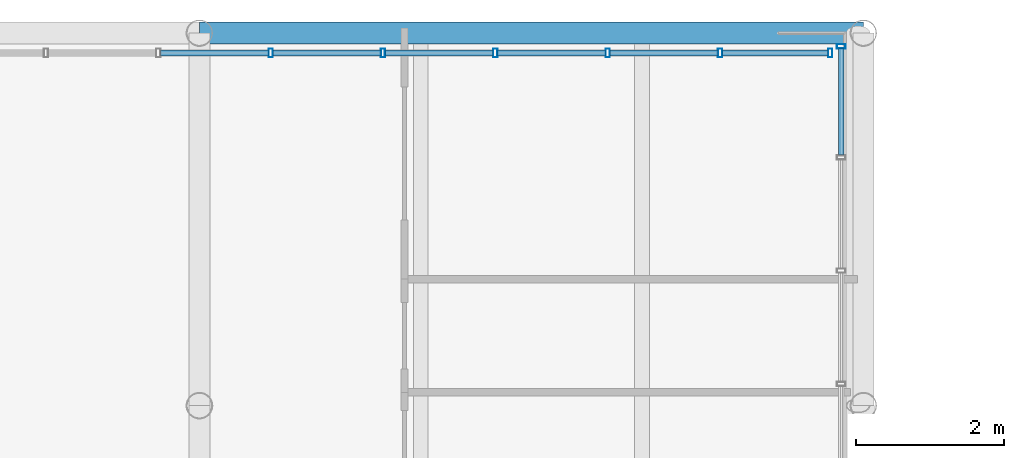
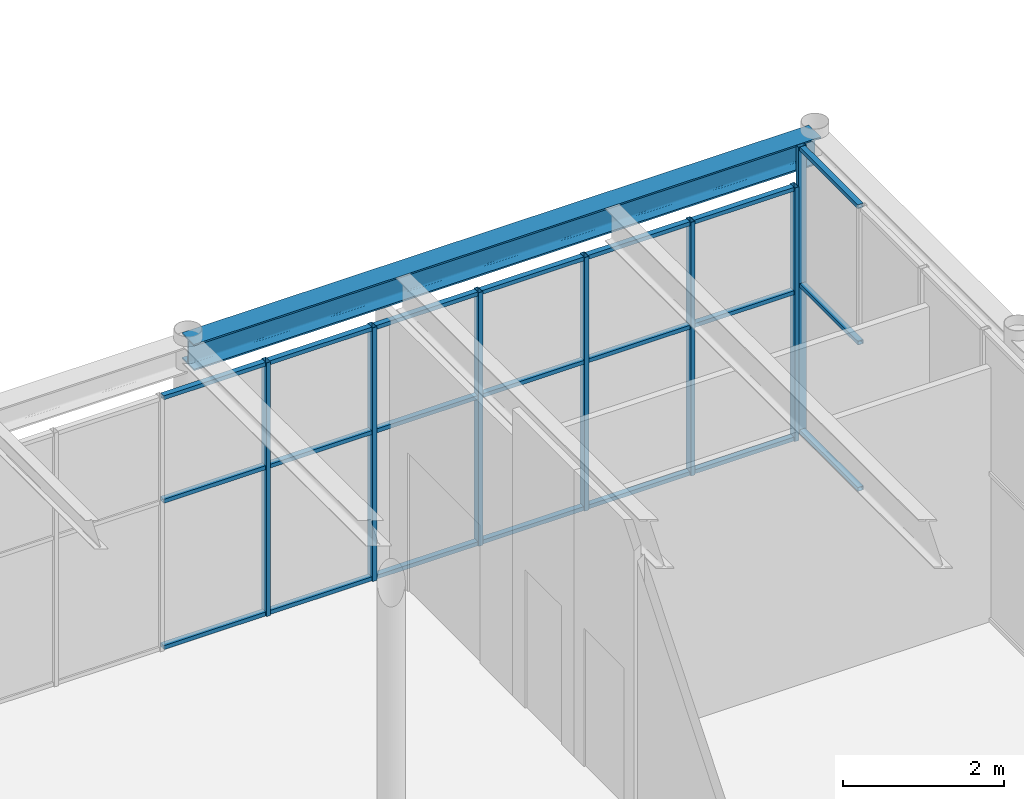
# One storey, part 54 of 111: 28 members, 1 beam, 2 elements without a shape of their own.
"""IFC4 building model written with IfcOpenShell, lengths in metres."""

from ifc_helpers import new_model, si_unit, direction, frame, origin, origin_2d, place, context, subcontext, project, spatial, hollow_rectangle, i_section, extrude, material, layer, layer_set, material_profile, profile_set, type_object, element, aggregate, save


model = new_model("IFC4")

# Units and contexts
model_context = context("Model", 3, precision=1e-05, world=origin(), true_north=direction((0.0, 1.0)))
body_context = subcontext(model_context, "Body", "Model", "MODEL_VIEW")
ifc_project = project(units=[si_unit("LENGTHUNIT", "METRE"), si_unit("AREAUNIT", "SQUARE_METRE"), si_unit("VOLUMEUNIT", "CUBIC_METRE"), si_unit("PLANEANGLEUNIT", "RADIAN"), si_unit("MASSUNIT", "GRAM", prefix="KILO")], contexts=[model_context])

# Site, building, storey
site_placement = place(None, origin())
site = spatial("IfcSite", under=ifc_project, at=site_placement, CompositionType="ELEMENT")
building_placement = place(site_placement, origin())
building = spatial("IfcBuilding", under=site, at=building_placement, Name="Kallimachos Central Library", CompositionType="ELEMENT")
storey_placement = place(building_placement, frame((0.0, 0.0, 14.39990234375)))
storey = spatial("IfcBuildingStorey", under=building, at=storey_placement, Name="L03", CompositionType="ELEMENT", Elevation=14.39990234375)

# Curtain wall, member
ifc_material_1 = material(Name="Anodised aluminium and laminated glass", Category="aluminium")
ifc_layer = layer(ifc_material_1, 0.159912109375)
ifc_layer_set = layer_set([ifc_layer], Name="Glass box curtain wall")
curtain_wall_type = type_object("IfcCurtainWallType", Name="Glass box curtain wall", PredefinedType="NOTDEFINED", material=ifc_layer_set)
curtain_wall_1_placement = place(storey_placement, origin())
curtain_wall_1 = element("IfcCurtainWall", 1, at=curtain_wall_1_placement, inside=storey, type_object=curtain_wall_type, Name="Glass box curtain wall E L03", PredefinedType="NOTDEFINED")
ifc_material_2 = material(Name="Anodised aluminium", Category="aluminium")
ifc_material_profile_1 = material_profile(ifc_material_2, hollow_rectangle(XDim=0.06005859375, YDim=0.1201171875, WallThickness=0.00390625, at=origin_2d()), Name="ALU MULLION 60x120")
ifc_profile_set_1 = profile_set([ifc_material_profile_1], Name="Anodised aluminium")
member_type_1 = type_object("IfcMemberType", Name="Glass box mullion 60x120", PredefinedType="MULLION", material=ifc_profile_set_1)
member_1_placement = place(storey_placement, frame((110.199951171875, 121.469970703125, 0.0), z_axis=(0.0, 0.0, 1.0), x_axis=(0.0, 1.0, 0.0)))
member_1 = element("IfcMember", 2, at=member_1_placement, type_object=member_type_1, Name="CW26 mullion 8", PredefinedType="MULLION", context=body_context, shape_type="SweptSolid", body=[
    extrude(hollow_rectangle(XDim=0.06005859375, YDim=0.1201171875, WallThickness=0.00390625, at=origin_2d()), origin(), (0.0, 0.0, 1.0), 4.35009765625),
])

# Curtain wall, members
curtain_wall_2_placement = place(storey_placement, origin())
curtain_wall_2 = element("IfcCurtainWall", 3, at=curtain_wall_2_placement, inside=storey, type_object=curtain_wall_type, Name="Glass box curtain wall N L03", PredefinedType="NOTDEFINED")
member_2_placement = place(storey_placement, frame((102.46630859375, 121.3798828125, 0.0), z_axis=(0.0, 0.0, 1.0), x_axis=(1.0, 0.0, 0.0)))
member_2 = element("IfcMember", 4, at=member_2_placement, type_object=member_type_1, Name="CW27 mullion 25", PredefinedType="MULLION", context=body_context, shape_type="SweptSolid", body=[
    extrude(hollow_rectangle(XDim=0.06005859375, YDim=0.1201171875, WallThickness=0.00390625, at=origin_2d()), origin(), (0.0, 0.0, 1.0), 3.85009765625),
])
member_3_placement = place(storey_placement, frame((103.989013671875, 121.3798828125, 0.0), z_axis=(0.0, 0.0, 1.0), x_axis=(1.0, 0.0, 0.0)))
member_3 = element("IfcMember", 5, at=member_3_placement, type_object=member_type_1, Name="CW27 mullion 26", PredefinedType="MULLION", context=body_context, shape_type="SweptSolid", body=[
    extrude(hollow_rectangle(XDim=0.06005859375, YDim=0.1201171875, WallThickness=0.00390625, at=origin_2d()), origin(), (0.0, 0.0, 1.0), 3.85009765625),
])
member_4_placement = place(storey_placement, frame((105.51171875, 121.3798828125, 0.0), z_axis=(0.0, 0.0, 1.0), x_axis=(1.0, 0.0, 0.0)))
member_4 = element("IfcMember", 6, at=member_4_placement, type_object=member_type_1, Name="CW27 mullion 27", PredefinedType="MULLION", context=body_context, shape_type="SweptSolid", body=[
    extrude(hollow_rectangle(XDim=0.06005859375, YDim=0.1201171875, WallThickness=0.00390625, at=origin_2d()), origin(), (0.0, 0.0, 1.0), 3.85009765625),
])
member_5_placement = place(storey_placement, frame((107.034423828125, 121.3798828125, 0.0), z_axis=(0.0, 0.0, 1.0), x_axis=(1.0, 0.0, 0.0)))
member_5 = element("IfcMember", 7, at=member_5_placement, type_object=member_type_1, Name="CW27 mullion 28", PredefinedType="MULLION", context=body_context, shape_type="SweptSolid", body=[
    extrude(hollow_rectangle(XDim=0.06005859375, YDim=0.1201171875, WallThickness=0.00390625, at=origin_2d()), origin(), (0.0, 0.0, 1.0), 3.85009765625),
])
member_6_placement = place(storey_placement, frame((108.55712890625, 121.3798828125, 0.0), z_axis=(0.0, 0.0, 1.0), x_axis=(1.0, 0.0, 0.0)))
member_6 = element("IfcMember", 8, at=member_6_placement, type_object=member_type_1, Name="CW27 mullion 29", PredefinedType="MULLION", context=body_context, shape_type="SweptSolid", body=[
    extrude(hollow_rectangle(XDim=0.06005859375, YDim=0.1201171875, WallThickness=0.00390625, at=origin_2d()), origin(), (0.0, 0.0, 1.0), 3.85009765625),
])
member_7_placement = place(storey_placement, frame((110.050048828125, 121.3798828125, 0.0), z_axis=(0.0, 0.0, 1.0), x_axis=(1.0, 0.0, 0.0)))
member_7 = element("IfcMember", 9, at=member_7_placement, type_object=member_type_1, Name="CW27 mullion 30", PredefinedType="MULLION", context=body_context, shape_type="SweptSolid", body=[
    extrude(hollow_rectangle(XDim=0.06005859375, YDim=0.1201171875, WallThickness=0.00390625, at=origin_2d()), origin(), (0.0, 0.0, 1.0), 3.85009765625),
])

# Member
ifc_material_3 = material(Name="Anodised aluminium", Category="aluminium")
ifc_material_profile_2 = material_profile(ifc_material_3, hollow_rectangle(XDim=0.06005859375, YDim=0.080078125, WallThickness=0.00390625, at=origin_2d()), Name="ALU TRANSOM 60x80")
ifc_profile_set_2 = profile_set([ifc_material_profile_2], Name="Anodised aluminium")
member_type_2 = type_object("IfcMemberType", Name="Glass box transom 60x80", PredefinedType="USERDEFINED", material=ifc_profile_set_2)
member_8_placement = place(storey_placement, frame((110.199951171875, 119.994384765625, 0.030029296875), z_axis=(0.0, 1.0, 0.0), x_axis=(0.0, 0.0, 1.0)))
member_8 = element("IfcMember", 10, at=member_8_placement, type_object=member_type_2, Name="CW26 transom 7.1", ObjectType="TRANSOM", PredefinedType="USERDEFINED", context=body_context, shape_type="SweptSolid", body=[
    extrude(hollow_rectangle(XDim=0.06005859375, YDim=0.080078125, WallThickness=0.00390625, at=origin_2d()), origin(), (0.0, 0.0, 1.0), 1.445556640625),
])

member_9_placement = place(storey_placement, frame((110.199951171875, 119.994384765625, 2.25), z_axis=(0.0, 1.0, 0.0), x_axis=(0.0, 0.0, 1.0)))
member_9 = element("IfcMember", 11, at=member_9_placement, type_object=member_type_2, Name="CW26 transom 7.2", ObjectType="TRANSOM", PredefinedType="USERDEFINED", context=body_context, shape_type="SweptSolid", body=[
    extrude(hollow_rectangle(XDim=0.06005859375, YDim=0.080078125, WallThickness=0.00390625, at=origin_2d()), origin(), (0.0, 0.0, 1.0), 1.445556640625),
])

member_10_placement = place(storey_placement, frame((110.199951171875, 119.994384765625, 4.320068359375), z_axis=(0.0, 1.0, 0.0), x_axis=(0.0, 0.0, 1.0)))
member_10 = element("IfcMember", 12, at=member_10_placement, type_object=member_type_2, Name="CW26 transom 7.3", ObjectType="TRANSOM", PredefinedType="USERDEFINED", context=body_context, shape_type="SweptSolid", body=[
    extrude(hollow_rectangle(XDim=0.06005859375, YDim=0.080078125, WallThickness=0.00390625, at=origin_2d()), origin(), (0.0, 0.0, 1.0), 1.445556640625),
])

aggregate(curtain_wall_1, [member_1, member_8, member_9, member_10])

member_11_placement = place(storey_placement, frame((100.973388671875, 121.3798828125, 0.030029296875), z_axis=(1.0, 0.0, 0.0), x_axis=(0.0, 0.0, 1.0)))
member_11 = element("IfcMember", 13, at=member_11_placement, type_object=member_type_2, Name="CW27 transom 24.1", ObjectType="TRANSOM", PredefinedType="USERDEFINED", context=body_context, shape_type="SweptSolid", body=[
    extrude(hollow_rectangle(XDim=0.06005859375, YDim=0.080078125, WallThickness=0.00390625, at=origin_2d()), origin(), (0.0, 0.0, 1.0), 1.462890625),
])

member_12_placement = place(storey_placement, frame((100.973388671875, 121.3798828125, 2.25), z_axis=(1.0, 0.0, 0.0), x_axis=(0.0, 0.0, 1.0)))
member_12 = element("IfcMember", 14, at=member_12_placement, type_object=member_type_2, Name="CW27 transom 24.2", ObjectType="TRANSOM", PredefinedType="USERDEFINED", context=body_context, shape_type="SweptSolid", body=[
    extrude(hollow_rectangle(XDim=0.06005859375, YDim=0.080078125, WallThickness=0.00390625, at=origin_2d()), origin(), (0.0, 0.0, 1.0), 1.462890625),
])

member_13_placement = place(storey_placement, frame((100.973388671875, 121.3798828125, 3.820068359375), z_axis=(1.0, 0.0, 0.0), x_axis=(0.0, 0.0, 1.0)))
member_13 = element("IfcMember", 15, at=member_13_placement, type_object=member_type_2, Name="CW27 transom 24.3", ObjectType="TRANSOM", PredefinedType="USERDEFINED", context=body_context, shape_type="SweptSolid", body=[
    extrude(hollow_rectangle(XDim=0.06005859375, YDim=0.080078125, WallThickness=0.00390625, at=origin_2d()), origin(), (0.0, 0.0, 1.0), 1.462890625),
])

member_14_placement = place(storey_placement, frame((102.49609375, 121.3798828125, 0.030029296875), z_axis=(1.0, 0.0, 0.0), x_axis=(0.0, 0.0, 1.0)))
member_14 = element("IfcMember", 16, at=member_14_placement, type_object=member_type_2, Name="CW27 transom 25.1", ObjectType="TRANSOM", PredefinedType="USERDEFINED", context=body_context, shape_type="SweptSolid", body=[
    extrude(hollow_rectangle(XDim=0.06005859375, YDim=0.080078125, WallThickness=0.00390625, at=origin_2d()), origin(), (0.0, 0.0, 1.0), 1.462890625),
])

member_15_placement = place(storey_placement, frame((102.49609375, 121.3798828125, 2.25), z_axis=(1.0, 0.0, 0.0), x_axis=(0.0, 0.0, 1.0)))
member_15 = element("IfcMember", 17, at=member_15_placement, type_object=member_type_2, Name="CW27 transom 25.2", ObjectType="TRANSOM", PredefinedType="USERDEFINED", context=body_context, shape_type="SweptSolid", body=[
    extrude(hollow_rectangle(XDim=0.06005859375, YDim=0.080078125, WallThickness=0.00390625, at=origin_2d()), origin(), (0.0, 0.0, 1.0), 1.462890625),
])

member_16_placement = place(storey_placement, frame((102.49609375, 121.3798828125, 3.820068359375), z_axis=(1.0, 0.0, 0.0), x_axis=(0.0, 0.0, 1.0)))
member_16 = element("IfcMember", 18, at=member_16_placement, type_object=member_type_2, Name="CW27 transom 25.3", ObjectType="TRANSOM", PredefinedType="USERDEFINED", context=body_context, shape_type="SweptSolid", body=[
    extrude(hollow_rectangle(XDim=0.06005859375, YDim=0.080078125, WallThickness=0.00390625, at=origin_2d()), origin(), (0.0, 0.0, 1.0), 1.462890625),
])

member_17_placement = place(storey_placement, frame((104.01904296875, 121.3798828125, 0.030029296875), z_axis=(1.0, 0.0, 0.0), x_axis=(0.0, 0.0, 1.0)))
member_17 = element("IfcMember", 19, at=member_17_placement, type_object=member_type_2, Name="CW27 transom 26.1", ObjectType="TRANSOM", PredefinedType="USERDEFINED", context=body_context, shape_type="SweptSolid", body=[
    extrude(hollow_rectangle(XDim=0.06005859375, YDim=0.080078125, WallThickness=0.00390625, at=origin_2d()), origin(), (0.0, 0.0, 1.0), 1.462646484375),
])

member_18_placement = place(storey_placement, frame((104.01904296875, 121.3798828125, 2.25), z_axis=(1.0, 0.0, 0.0), x_axis=(0.0, 0.0, 1.0)))
member_18 = element("IfcMember", 20, at=member_18_placement, type_object=member_type_2, Name="CW27 transom 26.2", ObjectType="TRANSOM", PredefinedType="USERDEFINED", context=body_context, shape_type="SweptSolid", body=[
    extrude(hollow_rectangle(XDim=0.06005859375, YDim=0.080078125, WallThickness=0.00390625, at=origin_2d()), origin(), (0.0, 0.0, 1.0), 1.462646484375),
])

member_19_placement = place(storey_placement, frame((104.01904296875, 121.3798828125, 3.820068359375), z_axis=(1.0, 0.0, 0.0), x_axis=(0.0, 0.0, 1.0)))
member_19 = element("IfcMember", 21, at=member_19_placement, type_object=member_type_2, Name="CW27 transom 26.3", ObjectType="TRANSOM", PredefinedType="USERDEFINED", context=body_context, shape_type="SweptSolid", body=[
    extrude(hollow_rectangle(XDim=0.06005859375, YDim=0.080078125, WallThickness=0.00390625, at=origin_2d()), origin(), (0.0, 0.0, 1.0), 1.462646484375),
])

member_20_placement = place(storey_placement, frame((105.541748046875, 121.3798828125, 0.030029296875), z_axis=(1.0, 0.0, 0.0), x_axis=(0.0, 0.0, 1.0)))
member_20 = element("IfcMember", 22, at=member_20_placement, type_object=member_type_2, Name="CW27 transom 27.1", ObjectType="TRANSOM", PredefinedType="USERDEFINED", context=body_context, shape_type="SweptSolid", body=[
    extrude(hollow_rectangle(XDim=0.06005859375, YDim=0.080078125, WallThickness=0.00390625, at=origin_2d()), origin(), (0.0, 0.0, 1.0), 1.462646484375),
])

member_21_placement = place(storey_placement, frame((105.541748046875, 121.3798828125, 2.25), z_axis=(1.0, 0.0, 0.0), x_axis=(0.0, 0.0, 1.0)))
member_21 = element("IfcMember", 23, at=member_21_placement, type_object=member_type_2, Name="CW27 transom 27.2", ObjectType="TRANSOM", PredefinedType="USERDEFINED", context=body_context, shape_type="SweptSolid", body=[
    extrude(hollow_rectangle(XDim=0.06005859375, YDim=0.080078125, WallThickness=0.00390625, at=origin_2d()), origin(), (0.0, 0.0, 1.0), 1.462646484375),
])

member_22_placement = place(storey_placement, frame((105.541748046875, 121.3798828125, 3.820068359375), z_axis=(1.0, 0.0, 0.0), x_axis=(0.0, 0.0, 1.0)))
member_22 = element("IfcMember", 24, at=member_22_placement, type_object=member_type_2, Name="CW27 transom 27.3", ObjectType="TRANSOM", PredefinedType="USERDEFINED", context=body_context, shape_type="SweptSolid", body=[
    extrude(hollow_rectangle(XDim=0.06005859375, YDim=0.080078125, WallThickness=0.00390625, at=origin_2d()), origin(), (0.0, 0.0, 1.0), 1.462646484375),
])

member_23_placement = place(storey_placement, frame((107.064453125, 121.3798828125, 0.030029296875), z_axis=(1.0, 0.0, 0.0), x_axis=(0.0, 0.0, 1.0)))
member_23 = element("IfcMember", 25, at=member_23_placement, type_object=member_type_2, Name="CW27 transom 28.1", ObjectType="TRANSOM", PredefinedType="USERDEFINED", context=body_context, shape_type="SweptSolid", body=[
    extrude(hollow_rectangle(XDim=0.06005859375, YDim=0.080078125, WallThickness=0.00390625, at=origin_2d()), origin(), (0.0, 0.0, 1.0), 1.462890625),
])

member_24_placement = place(storey_placement, frame((107.064453125, 121.3798828125, 2.25), z_axis=(1.0, 0.0, 0.0), x_axis=(0.0, 0.0, 1.0)))
member_24 = element("IfcMember", 26, at=member_24_placement, type_object=member_type_2, Name="CW27 transom 28.2", ObjectType="TRANSOM", PredefinedType="USERDEFINED", context=body_context, shape_type="SweptSolid", body=[
    extrude(hollow_rectangle(XDim=0.06005859375, YDim=0.080078125, WallThickness=0.00390625, at=origin_2d()), origin(), (0.0, 0.0, 1.0), 1.462890625),
])

member_25_placement = place(storey_placement, frame((107.064453125, 121.3798828125, 3.820068359375), z_axis=(1.0, 0.0, 0.0), x_axis=(0.0, 0.0, 1.0)))
member_25 = element("IfcMember", 27, at=member_25_placement, type_object=member_type_2, Name="CW27 transom 28.3", ObjectType="TRANSOM", PredefinedType="USERDEFINED", context=body_context, shape_type="SweptSolid", body=[
    extrude(hollow_rectangle(XDim=0.06005859375, YDim=0.080078125, WallThickness=0.00390625, at=origin_2d()), origin(), (0.0, 0.0, 1.0), 1.462890625),
])

member_26_placement = place(storey_placement, frame((108.587158203125, 121.3798828125, 0.030029296875), z_axis=(1.0, 0.0, 0.0), x_axis=(0.0, 0.0, 1.0)))
member_26 = element("IfcMember", 28, at=member_26_placement, type_object=member_type_2, Name="CW27 transom 29.1", ObjectType="TRANSOM", PredefinedType="USERDEFINED", context=body_context, shape_type="SweptSolid", body=[
    extrude(hollow_rectangle(XDim=0.06005859375, YDim=0.080078125, WallThickness=0.00390625, at=origin_2d()), origin(), (0.0, 0.0, 1.0), 1.432861328125),
])

member_27_placement = place(storey_placement, frame((108.587158203125, 121.3798828125, 2.25), z_axis=(1.0, 0.0, 0.0), x_axis=(0.0, 0.0, 1.0)))
member_27 = element("IfcMember", 29, at=member_27_placement, type_object=member_type_2, Name="CW27 transom 29.2", ObjectType="TRANSOM", PredefinedType="USERDEFINED", context=body_context, shape_type="SweptSolid", body=[
    extrude(hollow_rectangle(XDim=0.06005859375, YDim=0.080078125, WallThickness=0.00390625, at=origin_2d()), origin(), (0.0, 0.0, 1.0), 1.432861328125),
])

member_28_placement = place(storey_placement, frame((108.587158203125, 121.3798828125, 3.820068359375), z_axis=(1.0, 0.0, 0.0), x_axis=(0.0, 0.0, 1.0)))
member_28 = element("IfcMember", 30, at=member_28_placement, type_object=member_type_2, Name="CW27 transom 29.3", ObjectType="TRANSOM", PredefinedType="USERDEFINED", context=body_context, shape_type="SweptSolid", body=[
    extrude(hollow_rectangle(XDim=0.06005859375, YDim=0.080078125, WallThickness=0.00390625, at=origin_2d()), origin(), (0.0, 0.0, 1.0), 1.432861328125),
])

aggregate(curtain_wall_2, [member_2, member_3, member_4, member_5, member_6, member_7, member_11, member_12, member_13, member_14, member_15, member_16, member_17, member_18, member_19, member_20, member_21, member_22, member_23, member_24, member_25, member_26, member_27, member_28])

# Beam
ifc_material_4 = material(Name="Steel S355J2", Category="steel")
ifc_material_profile_3 = material_profile(ifc_material_4, i_section(OverallWidth=0.300048828125, OverallDepth=0.39990234375, WebThickness=0.013427734375, FlangeThickness=0.02392578125, FilletRadius=0.027099609375, at=origin_2d()), Name="HEB 400")
ifc_profile_set_3 = profile_set([ifc_material_profile_3], Name="Steel S355J2")
beam_type = type_object("IfcBeamType", Name="HEB 400 beam", PredefinedType="BEAM", material=ifc_profile_set_3)
beam_placement = place(storey_placement, frame((101.5, 121.64990234375, 4.150146484375), z_axis=(1.0, 0.0, 0.0), x_axis=(0.0, 1.0, 0.0)))
element("IfcBeam", 31, at=beam_placement, inside=storey, type_object=beam_type, Name="V1-BEM-L03-048", PredefinedType="BEAM", context=body_context, shape_type="SweptSolid", body=[
    extrude(i_section(OverallWidth=0.300048828125, OverallDepth=0.39990234375, WebThickness=0.013427734375, FlangeThickness=0.02392578125, FilletRadius=0.027099609375, at=origin_2d()), origin(), (0.0, 0.0, 1.0), 9.0),
])

save(model, "model.ifc")
